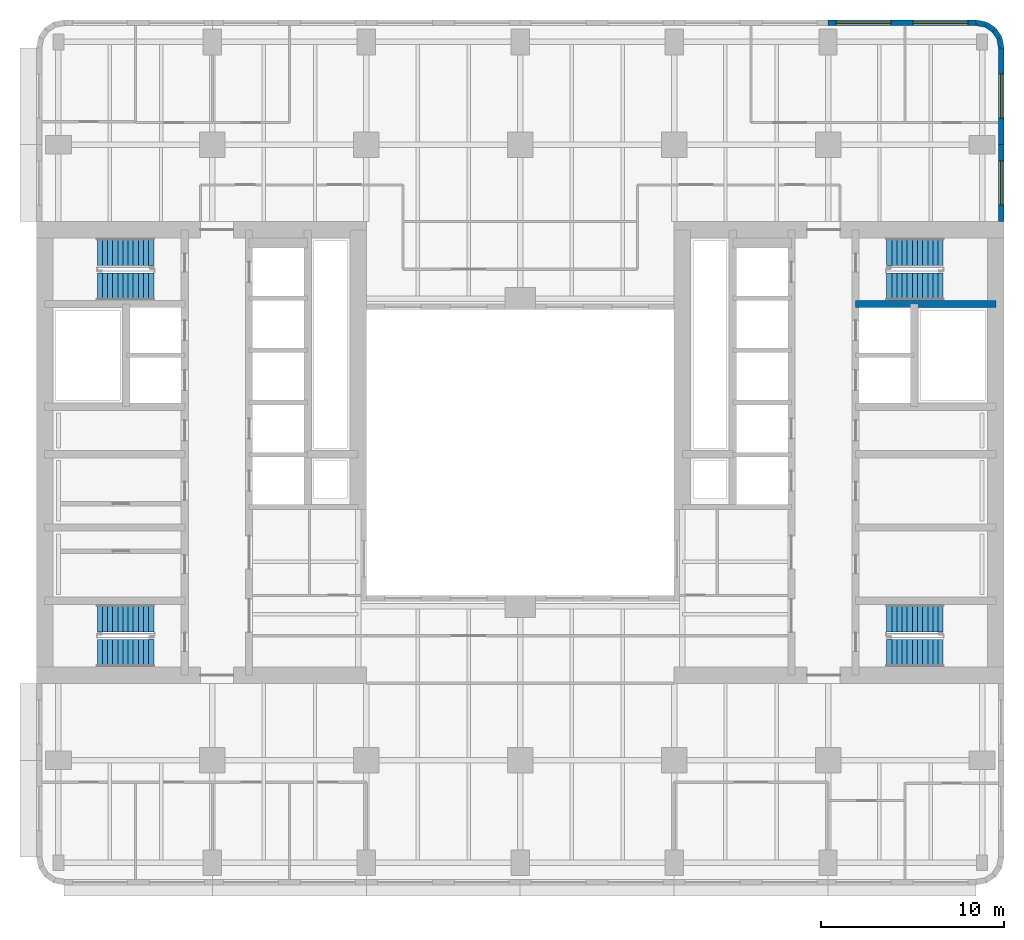
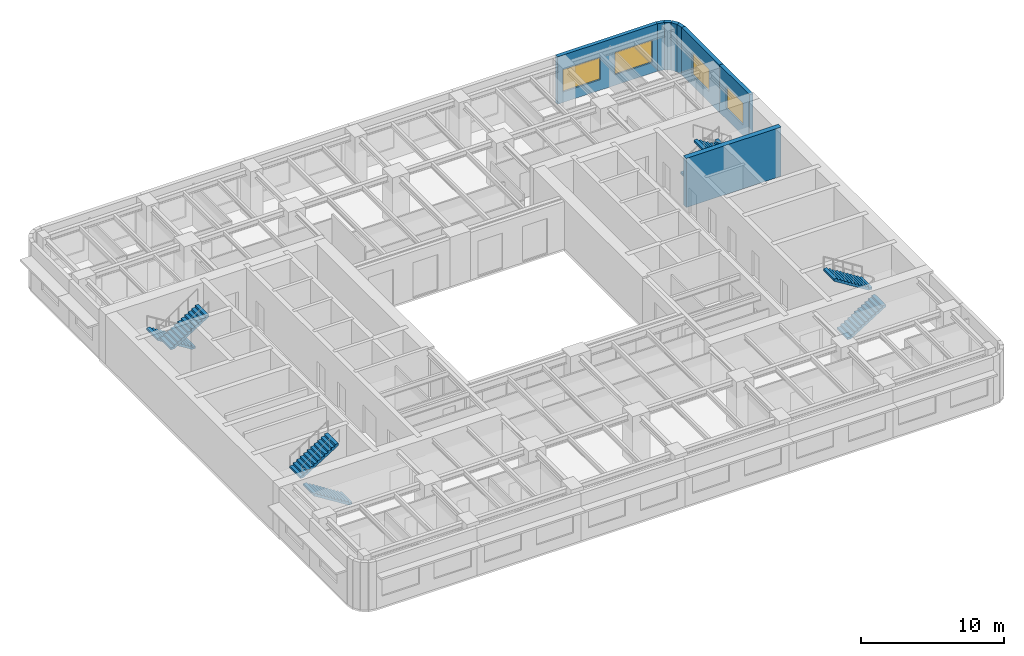
# One storey, part 8 of 11: 8 stair flights, 8 walls, 4 windows, 4 openings, 4 elements without a shape of their own.
"""IFC4 building model written with IfcOpenShell, lengths in metres."""

import ifcopenshell
import ifcopenshell.guid

model = None  # the IFC model being written
_history = None  # IfcOwnerHistory: only IFC2X3 demands one
_inside = {}  # id of a spatial element -> (the spatial element, [elements in it])
_under = {}  # id of a project, library or spatial element -> (it, [spatial elements below it])
_declared = {}  # id of a project -> (the project, [libraries it declares])
_typed = {}  # id of a type object -> (the type object, [elements of that type])
_made_of = {}  # id of a material, layer set ... -> (it, [elements and type objects made of it])


def new_model(schema):
    """Start an empty IFC model of exactly this schema.

    Asked for "IFC4X3", IfcOpenShell would pick the latest addendum, in which some entities
    have other attributes; the version numbers below select the first issue.
    IFC2X3 requires an IfcOwnerHistory on every rooted entity: one is made here for all.
    """
    global model, _history
    if schema == "IFC4X3":
        model = ifcopenshell.file(schema_version=(4, 3, 0, 0))
    else:
        model = ifcopenshell.file(schema=schema)
    _inside.clear()
    _under.clear()
    _declared.clear()
    _typed.clear()
    _made_of.clear()
    _history = None
    if model.schema == "IFC2X3":
        org = make("IfcOrganization", Name="unknown")
        user = make(
            "IfcPersonAndOrganization",
            ThePerson=make("IfcPerson", FamilyName="unknown"),
            TheOrganization=org,
        )
        app = make(
            "IfcApplication",
            ApplicationDeveloper=org,
            Version="unknown",
            ApplicationFullName="unknown",
            ApplicationIdentifier="unknown",
        )
        _history = make(
            "IfcOwnerHistory",
            OwningUser=user,
            OwningApplication=app,
            ChangeAction="ADDED",
            CreationDate=0,
        )
    return model


def make(cls, **values):
    """One entity of the class cls with the attributes given. An attribute that is None is left unset."""
    return model.create_entity(
        cls, **{name: value for name, value in values.items() if value is not None}
    )


def rooted(cls, **values):
    """An entity with a GlobalId (a new one), such as an element, a storey or a relation."""
    return make(cls, GlobalId=ifcopenshell.guid.new(), OwnerHistory=_history, **values)


def si_unit(unit_type, name, prefix=None):
    """IfcSIUnit, for example si_unit("LENGTHUNIT", "METRE", prefix="MILLI")."""
    return make("IfcSIUnit", UnitType=unit_type, Prefix=prefix, Name=name)


def assignment(units):
    """IfcUnitAssignment: the units of a project."""
    return None if units is None else make("IfcUnitAssignment", Units=units)


def point(xyz):
    """IfcCartesianPoint."""
    return None if xyz is None else make("IfcCartesianPoint", Coordinates=xyz)


def direction(xyz):
    """IfcDirection."""
    return None if xyz is None else make("IfcDirection", DirectionRatios=xyz)


def frame(location, z_axis=None, x_axis=None):
    """IfcAxis2Placement3D, a coordinate frame: its origin and axes. An axis left out is left unset."""
    return make(
        "IfcAxis2Placement3D",
        Location=point(location),
        Axis=direction(z_axis),
        RefDirection=direction(x_axis),
    )


def frame_2d(location, x_axis=None):
    """IfcAxis2Placement2D, a coordinate frame in the plane: its origin and x axis."""
    return make(
        "IfcAxis2Placement2D", Location=point(location), RefDirection=direction(x_axis)
    )


def origin():
    """The frame at (0, 0, 0) with its axes left unset."""
    return frame((0.0, 0.0, 0.0))


def place(relative_to, where):
    """IfcLocalPlacement: puts the frame where relative to a parent placement (None: the world)."""
    return make(
        "IfcLocalPlacement", PlacementRelTo=relative_to, RelativePlacement=where
    )


def context(
    kind, dimensions, precision=None, world=None, true_north=None, identifier=None
):
    """IfcGeometricRepresentationContext, for example the 3D "Model" context."""
    return make(
        "IfcGeometricRepresentationContext",
        ContextIdentifier=identifier,
        ContextType=kind,
        CoordinateSpaceDimension=dimensions,
        Precision=precision,
        WorldCoordinateSystem=world,
        TrueNorth=true_north,
    )


def subcontext(parent, identifier, kind, view, scale=None):
    """IfcGeometricRepresentationSubContext, for example "Body" below "Model"."""
    return make(
        "IfcGeometricRepresentationSubContext",
        ContextIdentifier=identifier,
        ContextType=kind,
        ParentContext=parent,
        TargetScale=scale,
        TargetView=view,
    )


def project(units=None, contexts=None):
    """IfcProject with its units and contexts."""
    return rooted(
        "IfcProject",
        Name="project",
        RepresentationContexts=contexts,
        UnitsInContext=assignment(units),
    )


def spatial(cls, under=None, at=None, **own):
    """A site, building, storey or space (cls), placed at a placement, below another one or the project."""
    s = rooted(cls, ObjectPlacement=at, **own)
    if under is not None:
        _under.setdefault(under.id(), (under, []))[1].append(s)
    return s


def polyline(points):
    """IfcPolyline through the points."""
    return make("IfcPolyline", Points=[point(p) for p in points])


def profile(cls, at=None, kind="AREA", **sizes):
    """A parametric profile (cls). Its sizes go by their IFC names, for example OverallWidth=200.0."""
    return make(cls, ProfileType=kind, Position=at, **sizes)


def rectangle(**sizes):
    """IfcRectangleProfileDef."""
    return profile("IfcRectangleProfileDef", **sizes)


def outline(outer, holes=None, kind="AREA"):
    """IfcArbitraryClosedProfileDef: a profile drawn as a closed curve; with holes, ...WithVoids."""
    if holes is None:
        return make("IfcArbitraryClosedProfileDef", ProfileType=kind, OuterCurve=outer)
    return make(
        "IfcArbitraryProfileDefWithVoids",
        ProfileType=kind,
        OuterCurve=outer,
        InnerCurves=holes,
    )


def extrude(swept, where, along, depth):
    """IfcExtrudedAreaSolid: the profile swept, set in the frame where, extruded along a direction by depth."""
    return make(
        "IfcExtrudedAreaSolid",
        SweptArea=swept,
        Position=where,
        ExtrudedDirection=direction(along),
        Depth=depth,
    )


def shape(context_of_items, identifier, shape_type, items):
    """IfcShapeRepresentation: the items that make up one representation, for example the "Body"."""
    return make(
        "IfcShapeRepresentation",
        ContextOfItems=context_of_items,
        RepresentationIdentifier=identifier,
        RepresentationType=shape_type,
        Items=items,
    )


def material(Name=None, Category=None):
    """IfcMaterial."""
    return make("IfcMaterial", Name=Name, Category=Category)


def layer(
    of_material, thickness, ventilated=None, Name=None, Category=None, Priority=None
):
    """IfcMaterialLayer: one layer of a wall or slab, of a material (None: an air gap)."""
    return make(
        "IfcMaterialLayer",
        Material=of_material,
        LayerThickness=thickness,
        IsVentilated=ventilated,
        Name=Name,
        Category=Category,
        Priority=Priority,
    )


def layer_set(layers, Name=None):
    """IfcMaterialLayerSet."""
    return make("IfcMaterialLayerSet", MaterialLayers=layers, LayerSetName=Name)


def made_of(thing, what):
    """Note that an element or type object is made of a material, layer set ...; save() writes the relation."""
    if what is not None:
        _made_of.setdefault(what.id(), (what, []))[1].append(thing)
    return thing


def type_object(cls, material=None, **own):
    """A type object (cls), such as IfcWallType, which elements share."""
    return made_of(rooted(cls, **own), material)


def element(
    cls,
    number,
    at=None,
    inside=None,
    cuts=None,
    type_object=None,
    material=None,
    context=None,
    identifier="Body",
    shape_type=None,
    held_by="IfcProductDefinitionShape",
    body=None,
    shapes=None,
    **own,
):
    """One element of the class cls, such as IfcWall. Its Tag is "e" and its number.

    at: its placement. inside: the storey or other place that contains it. cuts: it is an
    opening in that element (IfcRelVoidsElement). A single representation is given by context,
    identifier, shape_type and body (its items); several are given by shapes. held_by: the class
    of the entity that holds the representations. save() writes the other relations.
    """
    e = rooted(cls, Tag="e%d" % number, ObjectPlacement=at, **own)
    if body is not None:
        shapes = [shape(context, identifier, shape_type, body)]
    if shapes is not None:
        e.Representation = make(held_by, Representations=shapes)
    if inside is not None:
        _inside.setdefault(inside.id(), (inside, []))[1].append(e)
    if cuts is not None:
        rooted(
            "IfcRelVoidsElement", RelatingBuildingElement=cuts, RelatedOpeningElement=e
        )
    if type_object is not None:
        _typed.setdefault(type_object.id(), (type_object, []))[1].append(e)
    return made_of(e, material)


def fill(opening, filler):
    """IfcRelFillsElement: the door or window that sits in an opening."""
    return rooted(
        "IfcRelFillsElement",
        RelatingOpeningElement=opening,
        RelatedBuildingElement=filler,
    )


def aggregate(whole, parts):
    """IfcRelAggregates: a whole, such as a stair, and the parts it consists of."""
    return rooted("IfcRelAggregates", RelatingObject=whole, RelatedObjects=parts)


def save(model, path):
    """Write the relations noted so far, then the file.

    IfcRelAggregates (storeys below a building ...), IfcRelContainedInSpatialStructure (elements
    in a storey), IfcRelDefinesByType, IfcRelAssociatesMaterial and IfcRelDeclares: one each for
    every whole, place, type object, material and project.
    """
    for whole, parts in _under.values():
        aggregate(whole, parts)
    for where, things in _inside.values():
        rooted(
            "IfcRelContainedInSpatialStructure",
            RelatedElements=things,
            RelatingStructure=where,
        )
    for kind, things in _typed.values():
        rooted("IfcRelDefinesByType", RelatedObjects=things, RelatingType=kind)
    for what, things in _made_of.values():
        rooted("IfcRelAssociatesMaterial", RelatedObjects=things, RelatingMaterial=what)
    for by, libraries in _declared.values():
        rooted("IfcRelDeclares", RelatingContext=by, RelatedDefinitions=libraries)
    model.write(path)


model = new_model("IFC4")

# Units and contexts
model_context = context("Model", 3, precision=1e-05, world=origin(), true_north=direction((0.0, 1.0)))
body_context = subcontext(model_context, "Body", "Model", "MODEL_VIEW")
ifc_project = project(units=[si_unit("LENGTHUNIT", "METRE"), si_unit("AREAUNIT", "SQUARE_METRE"), si_unit("VOLUMEUNIT", "CUBIC_METRE"), si_unit("PLANEANGLEUNIT", "RADIAN"), si_unit("MASSUNIT", "GRAM", prefix="KILO")], contexts=[model_context])

# Site, building, storey
site_placement = place(None, origin())
site = spatial("IfcSite", under=ifc_project, at=site_placement, CompositionType="ELEMENT")
building_placement = place(site_placement, origin())
building = spatial("IfcBuilding", under=site, at=building_placement, Name="Claustro Exchange Tower", CompositionType="ELEMENT")
storey_placement = place(building_placement, frame((0.0, 0.0, 105.0)))
storey = spatial("IfcBuildingStorey", under=building, at=storey_placement, Name="L23", CompositionType="ELEMENT", Elevation=105.0)

# Wall, openings, windows
ifc_material_1 = material(Name="Concrete HA-40 (C40/50), precast, white cement, acid-etched", Category="concrete")
ifc_layer_1 = layer(ifc_material_1, 0.300048828125)
ifc_layer_set_1 = layer_set([ifc_layer_1], Name="Concrete HA-40 (C40/50), precast, white cement, acid-etched")
wall_type_1 = type_object("IfcWallType", Name="PC1 300 precast concrete pier panel", PredefinedType="SOLIDWALL", material=ifc_layer_set_1)
wall_1_placement = place(storey_placement, frame((42.0, 48.64990234375, 0.0), z_axis=(0.0, 0.0, 1.0), x_axis=(1.0, 0.0, 0.0)))
wall_1 = element("IfcWall", 1, at=wall_1_placement, inside=storey, type_object=wall_type_1, Name="Precast pier panel PC1 L23", PredefinedType="SOLIDWALL", context=body_context, shape_type="SweptSolid", body=[
    extrude(rectangle(XDim=8.085205078125, YDim=0.300048828125, at=frame_2d((4.04248046875, 0.0))), origin(), (0.0, 0.0, 1.0), 4.050048828125),
])
opening_1_placement = place(wall_1_placement, frame((0.442626953125, 0.0, 0.89990234375)))
opening_1 = element("IfcOpeningElement", 2, at=opening_1_placement, cuts=wall_1, Name="Opening W1", PredefinedType="OPENING", context=body_context, shape_type="SweptSolid", body=[
    extrude(rectangle(XDim=3.0, YDim=1.89990234375, at=frame_2d((1.5, 0.949951171875))), frame((0.0, 0.159912109375, 0.0), z_axis=(0.0, -1.0, 0.0), x_axis=(1.0, 0.0, 0.0)), (0.0, 0.0, 1.0), 0.320068359375),
])
opening_2_placement = place(wall_1_placement, frame((4.642578125, 0.0, 0.89990234375)))
opening_2 = element("IfcOpeningElement", 3, at=opening_2_placement, cuts=wall_1, Name="Opening W1", PredefinedType="OPENING", context=body_context, shape_type="SweptSolid", body=[
    extrude(rectangle(XDim=3.0, YDim=1.89990234375, at=frame_2d((1.5, 0.949951171875))), frame((0.0, 0.159912109375, 0.0), z_axis=(0.0, -1.0, 0.0), x_axis=(1.0, 0.0, 0.0)), (0.0, 0.0, 1.0), 0.320068359375),
])
ifc_material_2 = material(Name="Aluminium frame, clear double glazing", Category="aluminium")
window_type_1 = type_object("IfcWindowType", Name="W1 3000 x 1900 window", PartitioningType="SINGLE_PANEL", PredefinedType="WINDOW", material=ifc_material_2)
window_1_placement = place(opening_1_placement, origin())
window_1 = element("IfcWindow", 4, at=window_1_placement, inside=storey, type_object=window_type_1, Name="Window W1 L23", OverallHeight=1.89990234375, OverallWidth=3.0, PartitioningType="SINGLE_PANEL", PredefinedType="WINDOW", context=body_context, shape_type="SweptSolid", body=[
    extrude(rectangle(XDim=3.0, YDim=1.89990234375, at=frame_2d((1.5, 0.949951171875))), frame((0.0, 0.030029296875, 0.0), z_axis=(0.0, -1.0, 0.0), x_axis=(1.0, 0.0, 0.0)), (0.0, 0.0, 1.0), 0.06005859375),
])
fill(opening_1, window_1)
window_2_placement = place(opening_2_placement, origin())
window_2 = element("IfcWindow", 5, at=window_2_placement, inside=storey, type_object=window_type_1, Name="Window W1 L23", OverallHeight=1.89990234375, OverallWidth=3.0, PartitioningType="SINGLE_PANEL", PredefinedType="WINDOW", context=body_context, shape_type="SweptSolid", body=[
    extrude(rectangle(XDim=3.0, YDim=1.89990234375, at=frame_2d((1.5, 0.949951171875))), frame((0.0, 0.030029296875, 0.0), z_axis=(0.0, -1.0, 0.0), x_axis=(1.0, 0.0, 0.0)), (0.0, 0.0, 1.0), 0.06005859375),
])
fill(opening_2, window_2)

# Walls
wall_2_placement = place(storey_placement, frame((50.085205078125, 48.64990234375, 0.0), z_axis=(0.0, 0.0, 1.0), x_axis=(0.980788534345, -0.195073962632, 0.0)))
element("IfcWall", 6, at=wall_2_placement, inside=storey, type_object=wall_type_1, Name="Precast pier panel PC1 L23", PredefinedType="SOLIDWALL", context=body_context, shape_type="SweptSolid", body=[
    extrude(rectangle(XDim=0.540771484375, YDim=0.300048828125, at=frame_2d((0.2705078125, 0.0))), origin(), (0.0, 0.0, 1.0), 4.050048828125),
])
wall_3_placement = place(storey_placement, frame((50.615478515625, 48.54443359375, 0.0), z_axis=(0.0, 0.0, 1.0), x_axis=(0.831692711774, -0.555236195849, 0.0)))
element("IfcWall", 7, at=wall_3_placement, inside=storey, type_object=wall_type_1, Name="Precast pier panel PC1 L23", PredefinedType="SOLIDWALL", context=body_context, shape_type="SweptSolid", body=[
    extrude(rectangle(XDim=0.525390625, YDim=0.300048828125, at=frame_2d((0.2626953125, 0.0))), origin(), (0.0, 0.0, 1.0), 4.050048828125),
])
wall_4_placement = place(storey_placement, frame((51.052490234375, 48.252685546875, 0.0), z_axis=(0.0, 0.0, 1.0), x_axis=(0.55534295404, -0.831621430339, 0.0)))
element("IfcWall", 8, at=wall_4_placement, inside=storey, type_object=wall_type_1, Name="Precast pier panel PC1 L23", PredefinedType="SOLIDWALL", context=body_context, shape_type="SweptSolid", body=[
    extrude(rectangle(XDim=0.52587890625, YDim=0.300048828125, at=frame_2d((0.262939453125, 0.0))), origin(), (0.0, 0.0, 1.0), 4.050048828125),
])
wall_5_placement = place(storey_placement, frame((51.344482421875, 47.8154296875, 0.0), z_axis=(0.0, 0.0, 1.0), x_axis=(0.195073962632, -0.980788534345, 0.0)))
element("IfcWall", 9, at=wall_5_placement, inside=storey, type_object=wall_type_1, Name="Precast pier panel PC1 L23", PredefinedType="SOLIDWALL", context=body_context, shape_type="SweptSolid", body=[
    extrude(rectangle(XDim=0.540771484375, YDim=0.300048828125, at=frame_2d((0.2705078125, 0.0))), origin(), (0.0, 0.0, 1.0), 4.050048828125),
])

# Wall, opening, window
wall_6_placement = place(storey_placement, frame((51.449951171875, 47.28515625, 0.0), z_axis=(0.0, 0.0, 1.0), x_axis=(0.0, -1.0, 0.0)))
wall_6 = element("IfcWall", 10, at=wall_6_placement, inside=storey, type_object=wall_type_1, Name="Precast pier panel PC1 L23", PredefinedType="SOLIDWALL", context=body_context, shape_type="SweptSolid", body=[
    extrude(rectangle(XDim=5.28515625, YDim=0.300048828125, at=frame_2d((2.642578125, 0.0))), origin(), (0.0, 0.0, 1.0), 4.050048828125),
])
opening_3_placement = place(wall_6_placement, frame((1.442626953125, 0.0, 0.89990234375)))
opening_3 = element("IfcOpeningElement", 11, at=opening_3_placement, cuts=wall_6, Name="Opening W2", PredefinedType="OPENING", context=body_context, shape_type="SweptSolid", body=[
    extrude(rectangle(XDim=2.39990234375, YDim=1.89990234375, at=frame_2d((1.199951171875, 0.949951171875))), frame((0.0, 0.159912109375, 0.0), z_axis=(0.0, -1.0, 0.0), x_axis=(1.0, 0.0, 0.0)), (0.0, 0.0, 1.0), 0.320068359375),
])
ifc_material_3 = material(Name="Aluminium frame, clear double glazing", Category="aluminium")
window_type_2 = type_object("IfcWindowType", Name="W2 2400 x 1900 window", PartitioningType="SINGLE_PANEL", PredefinedType="WINDOW", material=ifc_material_3)
window_3_placement = place(opening_3_placement, origin())
window_3 = element("IfcWindow", 12, at=window_3_placement, inside=storey, type_object=window_type_2, Name="Window W2 L23", OverallHeight=1.89990234375, OverallWidth=2.39990234375, PartitioningType="SINGLE_PANEL", PredefinedType="WINDOW", context=body_context, shape_type="SweptSolid", body=[
    extrude(rectangle(XDim=2.39990234375, YDim=1.89990234375, at=frame_2d((1.199951171875, 0.949951171875))), frame((0.0, 0.030029296875, 0.0), z_axis=(0.0, -1.0, 0.0), x_axis=(1.0, 0.0, 0.0)), (0.0, 0.0, 1.0), 0.06005859375),
])
fill(opening_3, window_3)

wall_7_placement = place(storey_placement, frame((51.449951171875, 42.0, 0.0), z_axis=(0.0, 0.0, 1.0), x_axis=(0.0, -1.0, 0.0)))
wall_7 = element("IfcWall", 13, at=wall_7_placement, inside=storey, type_object=wall_type_1, Name="Precast pier panel PC1 L23", PredefinedType="SOLIDWALL", context=body_context, shape_type="SweptSolid", body=[
    extrude(rectangle(XDim=4.199951171875, YDim=0.300048828125, at=frame_2d((2.10009765625, 0.0))), origin(), (0.0, 0.0, 1.0), 4.050048828125),
])
opening_4_placement = place(wall_7_placement, frame((0.89990234375, 0.0, 0.89990234375)))
opening_4 = element("IfcOpeningElement", 14, at=opening_4_placement, cuts=wall_7, Name="Opening W2", PredefinedType="OPENING", context=body_context, shape_type="SweptSolid", body=[
    extrude(rectangle(XDim=2.39990234375, YDim=1.89990234375, at=frame_2d((1.199951171875, 0.949951171875))), frame((0.0, 0.159912109375, 0.0), z_axis=(0.0, -1.0, 0.0), x_axis=(1.0, 0.0, 0.0)), (0.0, 0.0, 1.0), 0.320068359375),
])
window_4_placement = place(opening_4_placement, origin())
window_4 = element("IfcWindow", 15, at=window_4_placement, inside=storey, type_object=window_type_2, Name="Window W2 L23", OverallHeight=1.89990234375, OverallWidth=2.39990234375, PartitioningType="SINGLE_PANEL", PredefinedType="WINDOW", context=body_context, shape_type="SweptSolid", body=[
    extrude(rectangle(XDim=2.39990234375, YDim=1.89990234375, at=frame_2d((1.199951171875, 0.949951171875))), frame((0.0, 0.030029296875, 0.0), z_axis=(0.0, -1.0, 0.0), x_axis=(1.0, 0.0, 0.0)), (0.0, 0.0, 1.0), 0.06005859375),
])
fill(opening_4, window_4)

# Wall
ifc_material_4 = material(Name="Concrete HA-50 (C50/60)", Category="concrete")
ifc_layer_2 = layer(ifc_material_4, 0.39990234375)
ifc_layer_set_2 = layer_set([ifc_layer_2], Name="Concrete HA-50 (C50/60)")
wall_type_2 = type_object("IfcWallType", Name="SW4 400 internal core wall", PredefinedType="SHEAR", material=ifc_layer_set_2)
wall_8_placement = place(storey_placement, frame((51.14990234375, 33.300048828125, 0.0), z_axis=(0.0, 0.0, 1.0), x_axis=(-1.0, 0.0, 0.0)))
element("IfcWall", 16, at=wall_8_placement, inside=storey, type_object=wall_type_2, Name="Internal core wall SW4 E core L23", PredefinedType="SHEAR", context=body_context, shape_type="SweptSolid", body=[
    extrude(rectangle(XDim=7.64990234375, YDim=0.39990234375, at=frame_2d((3.824951171875, 0.0))), origin(), (0.0, 0.0, 1.0), 4.199951171875),
])

# Stair, stair flights
ifc_material_5 = material(Name="Concrete HA-30 (C30/37), precast", Category="concrete")
stair_type = type_object("IfcStairType", Name="ST1 half-turn stair, 24 risers of 175", PredefinedType="HALF_TURN_STAIR", material=ifc_material_5)
stair_1_placement = place(storey_placement, origin())
stair_1 = element("IfcStair", 17, at=stair_1_placement, inside=storey, type_object=stair_type, Name="Stair STWA L23", PredefinedType="HALF_TURN_STAIR")
ifc_material_6 = material(Name="Concrete HA-30 (C30/37), precast", Category="concrete")
stair_flight_type = type_object("IfcStairFlightType", Name="SF12A straight flight, 12 risers of 175, 1500 wide", PredefinedType="STRAIGHT", material=ifc_material_6)
stair_flight_1_placement = place(storey_placement, frame((5.199951171875, 14.25, 0.0), z_axis=(0.0, 0.0, 1.0), x_axis=(-1.0, 0.0, 0.0)))
stair_flight_1 = element("IfcStairFlight", 18, at=stair_flight_1_placement, type_object=stair_flight_type, Name="STWA flight 1", NumberOfRisers=12, NumberOfTreads=11, PredefinedType="STRAIGHT", RiserHeight=0.175, TreadLength=0.28, context=body_context, shape_type="SweptSolid", body=[
    extrude(outline(polyline([(0.0, 0.0), (0.0, 0.175048828125), (0.280029296875, 0.175048828125), (0.280029296875, 0.35009765625), (0.56005859375, 0.35009765625), (0.56005859375, 0.52490234375), (0.840087890625, 0.52490234375), (0.840087890625, 0.699951171875), (1.1201171875, 0.699951171875), (1.1201171875, 0.875), (1.39990234375, 0.875), (1.39990234375, 1.050048828125), (1.679931640625, 1.050048828125), (1.679931640625, 1.22509765625), (1.9599609375, 1.22509765625), (1.9599609375, 1.39990234375), (2.239990234375, 1.39990234375), (2.239990234375, 1.574951171875), (2.52001953125, 1.574951171875), (2.52001953125, 1.75), (2.800048828125, 1.75), (2.800048828125, 1.925048828125), (3.080078125, 1.925048828125), (3.080078125, 2.10009765625), (3.080078125, 1.748291015625), (0.28271484375, 0.0), (0.0, 0.0)])), frame((0.0, 0.75, 0.0), z_axis=(0.0, -1.0, 0.0), x_axis=(1.0, 0.0, 0.0)), (0.0, 0.0, 1.0), 1.5),
])
stair_flight_2_placement = place(storey_placement, frame((2.1201171875, 16.14990234375, 2.10009765625), z_axis=(0.0, 0.0, 1.0), x_axis=(1.0, 0.0, 0.0)))
stair_flight_2 = element("IfcStairFlight", 19, at=stair_flight_2_placement, type_object=stair_flight_type, Name="STWA flight 2", NumberOfRisers=12, NumberOfTreads=11, PredefinedType="STRAIGHT", RiserHeight=0.175, TreadLength=0.28, context=body_context, shape_type="SweptSolid", body=[
    extrude(outline(polyline([(0.0, 0.0), (0.0, 0.175048828125), (0.280029296875, 0.175048828125), (0.280029296875, 0.35009765625), (0.56005859375, 0.35009765625), (0.56005859375, 0.52490234375), (0.840087890625, 0.52490234375), (0.840087890625, 0.699951171875), (1.1201171875, 0.699951171875), (1.1201171875, 0.875), (1.39990234375, 0.875), (1.39990234375, 1.050048828125), (1.679931640625, 1.050048828125), (1.679931640625, 1.22509765625), (1.9599609375, 1.22509765625), (1.9599609375, 1.39990234375), (2.239990234375, 1.39990234375), (2.239990234375, 1.574951171875), (2.52001953125, 1.574951171875), (2.52001953125, 1.75), (2.800048828125, 1.75), (2.800048828125, 1.925048828125), (3.080078125, 1.925048828125), (3.080078125, 2.10009765625), (3.080078125, 1.748291015625), (0.28271484375, 0.0), (0.0, 0.0)])), frame((0.0, 0.75, 0.0), z_axis=(0.0, -1.0, 0.0), x_axis=(1.0, 0.0, 0.0)), (0.0, 0.0, 1.0), 1.5),
])
aggregate(stair_1, [stair_flight_1, stair_flight_2])

stair_2_placement = place(storey_placement, origin())
stair_2 = element("IfcStair", 20, at=stair_2_placement, inside=storey, type_object=stair_type, Name="Stair STWB L23", PredefinedType="HALF_TURN_STAIR")
stair_flight_3_placement = place(storey_placement, frame((5.199951171875, 36.14990234375, 0.0), z_axis=(0.0, 0.0, 1.0), x_axis=(-1.0, 0.0, 0.0)))
stair_flight_3 = element("IfcStairFlight", 21, at=stair_flight_3_placement, type_object=stair_flight_type, Name="STWB flight 1", NumberOfRisers=12, NumberOfTreads=11, PredefinedType="STRAIGHT", RiserHeight=0.175, TreadLength=0.28, context=body_context, shape_type="SweptSolid", body=[
    extrude(outline(polyline([(0.0, 0.0), (0.0, 0.175048828125), (0.280029296875, 0.175048828125), (0.280029296875, 0.35009765625), (0.56005859375, 0.35009765625), (0.56005859375, 0.52490234375), (0.840087890625, 0.52490234375), (0.840087890625, 0.699951171875), (1.1201171875, 0.699951171875), (1.1201171875, 0.875), (1.39990234375, 0.875), (1.39990234375, 1.050048828125), (1.679931640625, 1.050048828125), (1.679931640625, 1.22509765625), (1.9599609375, 1.22509765625), (1.9599609375, 1.39990234375), (2.239990234375, 1.39990234375), (2.239990234375, 1.574951171875), (2.52001953125, 1.574951171875), (2.52001953125, 1.75), (2.800048828125, 1.75), (2.800048828125, 1.925048828125), (3.080078125, 1.925048828125), (3.080078125, 2.10009765625), (3.080078125, 1.748291015625), (0.28271484375, 0.0), (0.0, 0.0)])), frame((0.0, 0.75, 0.0), z_axis=(0.0, -1.0, 0.0), x_axis=(1.0, 0.0, 0.0)), (0.0, 0.0, 1.0), 1.5),
])
stair_flight_4_placement = place(storey_placement, frame((2.1201171875, 34.25, 2.10009765625), z_axis=(0.0, 0.0, 1.0), x_axis=(1.0, 0.0, 0.0)))
stair_flight_4 = element("IfcStairFlight", 22, at=stair_flight_4_placement, type_object=stair_flight_type, Name="STWB flight 2", NumberOfRisers=12, NumberOfTreads=11, PredefinedType="STRAIGHT", RiserHeight=0.175, TreadLength=0.28, context=body_context, shape_type="SweptSolid", body=[
    extrude(outline(polyline([(0.0, 0.0), (0.0, 0.175048828125), (0.280029296875, 0.175048828125), (0.280029296875, 0.35009765625), (0.56005859375, 0.35009765625), (0.56005859375, 0.52490234375), (0.840087890625, 0.52490234375), (0.840087890625, 0.699951171875), (1.1201171875, 0.699951171875), (1.1201171875, 0.875), (1.39990234375, 0.875), (1.39990234375, 1.050048828125), (1.679931640625, 1.050048828125), (1.679931640625, 1.22509765625), (1.9599609375, 1.22509765625), (1.9599609375, 1.39990234375), (2.239990234375, 1.39990234375), (2.239990234375, 1.574951171875), (2.52001953125, 1.574951171875), (2.52001953125, 1.75), (2.800048828125, 1.75), (2.800048828125, 1.925048828125), (3.080078125, 1.925048828125), (3.080078125, 2.10009765625), (3.080078125, 1.748291015625), (0.28271484375, 0.0), (0.0, 0.0)])), frame((0.0, 0.75, 0.0), z_axis=(0.0, -1.0, 0.0), x_axis=(1.0, 0.0, 0.0)), (0.0, 0.0, 1.0), 1.5),
])
aggregate(stair_2, [stair_flight_3, stair_flight_4])

stair_3_placement = place(storey_placement, origin())
stair_3 = element("IfcStair", 23, at=stair_3_placement, inside=storey, type_object=stair_type, Name="Stair STEA L23", PredefinedType="HALF_TURN_STAIR")
stair_flight_5_placement = place(storey_placement, frame((45.199951171875, 14.25, 0.0), z_axis=(0.0, 0.0, 1.0), x_axis=(1.0, 0.0, 0.0)))
stair_flight_5 = element("IfcStairFlight", 24, at=stair_flight_5_placement, type_object=stair_flight_type, Name="STEA flight 1", NumberOfRisers=12, NumberOfTreads=11, PredefinedType="STRAIGHT", RiserHeight=0.175, TreadLength=0.28, context=body_context, shape_type="SweptSolid", body=[
    extrude(outline(polyline([(0.0, 0.0), (0.0, 0.175048828125), (0.280029296875, 0.175048828125), (0.280029296875, 0.35009765625), (0.56005859375, 0.35009765625), (0.56005859375, 0.52490234375), (0.840087890625, 0.52490234375), (0.840087890625, 0.699951171875), (1.1201171875, 0.699951171875), (1.1201171875, 0.875), (1.39990234375, 0.875), (1.39990234375, 1.050048828125), (1.679931640625, 1.050048828125), (1.679931640625, 1.22509765625), (1.9599609375, 1.22509765625), (1.9599609375, 1.39990234375), (2.239990234375, 1.39990234375), (2.239990234375, 1.574951171875), (2.52001953125, 1.574951171875), (2.52001953125, 1.75), (2.800048828125, 1.75), (2.800048828125, 1.925048828125), (3.080078125, 1.925048828125), (3.080078125, 2.10009765625), (3.080078125, 1.748291015625), (0.28271484375, 0.0), (0.0, 0.0)])), frame((0.0, 0.75, 0.0), z_axis=(0.0, -1.0, 0.0), x_axis=(1.0, 0.0, 0.0)), (0.0, 0.0, 1.0), 1.5),
])
stair_flight_6_placement = place(storey_placement, frame((48.280029296875, 16.14990234375, 2.10009765625), z_axis=(0.0, 0.0, 1.0), x_axis=(-1.0, 0.0, 0.0)))
stair_flight_6 = element("IfcStairFlight", 25, at=stair_flight_6_placement, type_object=stair_flight_type, Name="STEA flight 2", NumberOfRisers=12, NumberOfTreads=11, PredefinedType="STRAIGHT", RiserHeight=0.175, TreadLength=0.28, context=body_context, shape_type="SweptSolid", body=[
    extrude(outline(polyline([(0.0, 0.0), (0.0, 0.175048828125), (0.280029296875, 0.175048828125), (0.280029296875, 0.35009765625), (0.56005859375, 0.35009765625), (0.56005859375, 0.52490234375), (0.840087890625, 0.52490234375), (0.840087890625, 0.699951171875), (1.1201171875, 0.699951171875), (1.1201171875, 0.875), (1.39990234375, 0.875), (1.39990234375, 1.050048828125), (1.679931640625, 1.050048828125), (1.679931640625, 1.22509765625), (1.9599609375, 1.22509765625), (1.9599609375, 1.39990234375), (2.239990234375, 1.39990234375), (2.239990234375, 1.574951171875), (2.52001953125, 1.574951171875), (2.52001953125, 1.75), (2.800048828125, 1.75), (2.800048828125, 1.925048828125), (3.080078125, 1.925048828125), (3.080078125, 2.10009765625), (3.080078125, 1.748291015625), (0.28271484375, 0.0), (0.0, 0.0)])), frame((0.0, 0.75, 0.0), z_axis=(0.0, -1.0, 0.0), x_axis=(1.0, 0.0, 0.0)), (0.0, 0.0, 1.0), 1.5),
])
aggregate(stair_3, [stair_flight_5, stair_flight_6])

stair_4_placement = place(storey_placement, origin())
stair_4 = element("IfcStair", 26, at=stair_4_placement, inside=storey, type_object=stair_type, Name="Stair STEB L23", PredefinedType="HALF_TURN_STAIR")
stair_flight_7_placement = place(storey_placement, frame((45.199951171875, 36.14990234375, 0.0), z_axis=(0.0, 0.0, 1.0), x_axis=(1.0, 0.0, 0.0)))
stair_flight_7 = element("IfcStairFlight", 27, at=stair_flight_7_placement, type_object=stair_flight_type, Name="STEB flight 1", NumberOfRisers=12, NumberOfTreads=11, PredefinedType="STRAIGHT", RiserHeight=0.175, TreadLength=0.28, context=body_context, shape_type="SweptSolid", body=[
    extrude(outline(polyline([(0.0, 0.0), (0.0, 0.175048828125), (0.280029296875, 0.175048828125), (0.280029296875, 0.35009765625), (0.56005859375, 0.35009765625), (0.56005859375, 0.52490234375), (0.840087890625, 0.52490234375), (0.840087890625, 0.699951171875), (1.1201171875, 0.699951171875), (1.1201171875, 0.875), (1.39990234375, 0.875), (1.39990234375, 1.050048828125), (1.679931640625, 1.050048828125), (1.679931640625, 1.22509765625), (1.9599609375, 1.22509765625), (1.9599609375, 1.39990234375), (2.239990234375, 1.39990234375), (2.239990234375, 1.574951171875), (2.52001953125, 1.574951171875), (2.52001953125, 1.75), (2.800048828125, 1.75), (2.800048828125, 1.925048828125), (3.080078125, 1.925048828125), (3.080078125, 2.10009765625), (3.080078125, 1.748291015625), (0.28271484375, 0.0), (0.0, 0.0)])), frame((0.0, 0.75, 0.0), z_axis=(0.0, -1.0, 0.0), x_axis=(1.0, 0.0, 0.0)), (0.0, 0.0, 1.0), 1.5),
])
stair_flight_8_placement = place(storey_placement, frame((48.280029296875, 34.25, 2.10009765625), z_axis=(0.0, 0.0, 1.0), x_axis=(-1.0, 0.0, 0.0)))
stair_flight_8 = element("IfcStairFlight", 28, at=stair_flight_8_placement, type_object=stair_flight_type, Name="STEB flight 2", NumberOfRisers=12, NumberOfTreads=11, PredefinedType="STRAIGHT", RiserHeight=0.175, TreadLength=0.28, context=body_context, shape_type="SweptSolid", body=[
    extrude(outline(polyline([(0.0, 0.0), (0.0, 0.175048828125), (0.280029296875, 0.175048828125), (0.280029296875, 0.35009765625), (0.56005859375, 0.35009765625), (0.56005859375, 0.52490234375), (0.840087890625, 0.52490234375), (0.840087890625, 0.699951171875), (1.1201171875, 0.699951171875), (1.1201171875, 0.875), (1.39990234375, 0.875), (1.39990234375, 1.050048828125), (1.679931640625, 1.050048828125), (1.679931640625, 1.22509765625), (1.9599609375, 1.22509765625), (1.9599609375, 1.39990234375), (2.239990234375, 1.39990234375), (2.239990234375, 1.574951171875), (2.52001953125, 1.574951171875), (2.52001953125, 1.75), (2.800048828125, 1.75), (2.800048828125, 1.925048828125), (3.080078125, 1.925048828125), (3.080078125, 2.10009765625), (3.080078125, 1.748291015625), (0.28271484375, 0.0), (0.0, 0.0)])), frame((0.0, 0.75, 0.0), z_axis=(0.0, -1.0, 0.0), x_axis=(1.0, 0.0, 0.0)), (0.0, 0.0, 1.0), 1.5),
])
aggregate(stair_4, [stair_flight_7, stair_flight_8])

save(model, "model.ifc")
